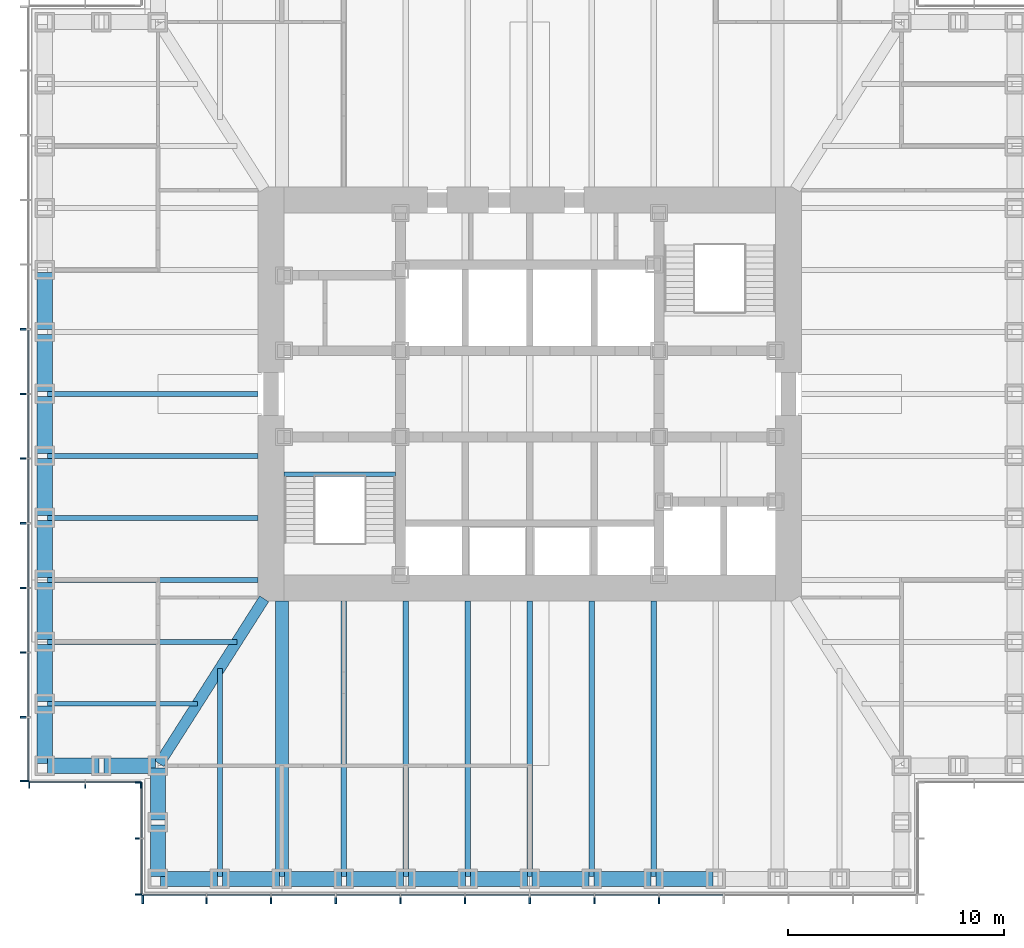
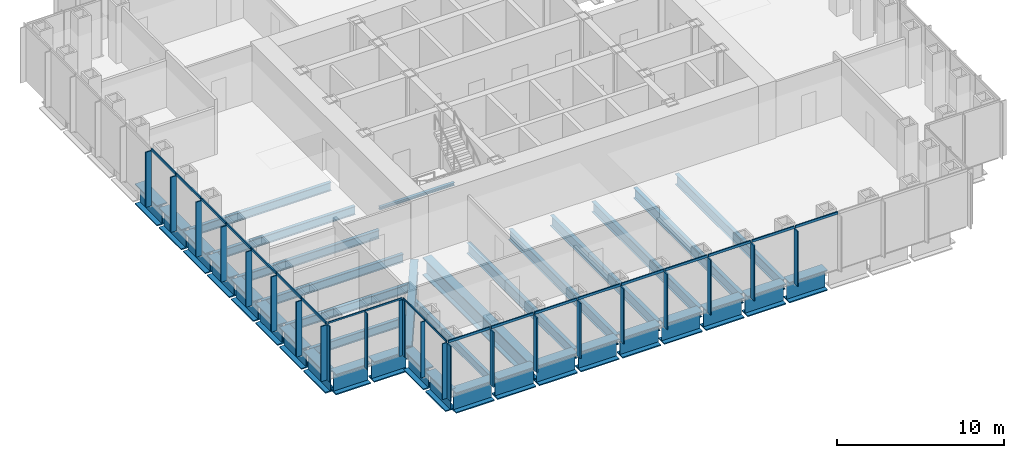
# One storey, part 2 of 16: 43 members, 37 beams, 4 elements without a shape of their own.
"""IFC4 building model written with IfcOpenShell, lengths in metres."""

from ifc_helpers import new_model, si_unit, direction, frame, origin, origin_2d, place, context, subcontext, project, spatial, rectangle, i_section, extrude, material, material_profile, profile_set, type_object, element, aggregate, save


model = new_model("IFC4")

# Units and contexts
model_context = context("Model", 3, precision=1e-05, world=origin(), true_north=direction((0.0, 1.0)))
body_context = subcontext(model_context, "Body", "Model", "MODEL_VIEW")
ifc_project = project(units=[si_unit("LENGTHUNIT", "METRE"), si_unit("AREAUNIT", "SQUARE_METRE"), si_unit("VOLUMEUNIT", "CUBIC_METRE"), si_unit("PLANEANGLEUNIT", "RADIAN"), si_unit("MASSUNIT", "GRAM", prefix="KILO")], contexts=[model_context])

# Site, building, storey
site_placement = place(None, origin())
site = spatial("IfcSite", under=ifc_project, at=site_placement, CompositionType="ELEMENT")
building_placement = place(site_placement, origin())
building = spatial("IfcBuilding", under=site, at=building_placement, Name="Daluyong Arena Tower", CompositionType="ELEMENT")
storey_placement = place(building_placement, frame((0.0, 0.0, 162.699951171875)))
storey = spatial("IfcBuildingStorey", under=building, at=storey_placement, Name="L36", CompositionType="ELEMENT", Elevation=162.699951171875)

# Curtain wall, members
ifc_material_1 = material(Name="Bronze anodised aluminium and glass", Category="aluminium")
curtain_wall_type_1 = type_object("IfcCurtainWallType", Name="Curtain wall CW2", PredefinedType="USERDEFINED", material=ifc_material_1)
curtain_wall_1_placement = place(storey_placement, origin())
curtain_wall_1 = element("IfcCurtainWall", 1, at=curtain_wall_1_placement, inside=storey, type_object=curtain_wall_type_1, Name="curtain wall L36 S", ObjectType="UNITISED CURTAIN WALL", PredefinedType="USERDEFINED")
ifc_material_2 = material(Name="Bronze anodised aluminium fin", Category="aluminium")
ifc_material_profile_1 = material_profile(ifc_material_2, rectangle(XDim=0.39990234375, YDim=0.080078125, at=origin_2d()))
ifc_profile_set_1 = profile_set([ifc_material_profile_1], Name="Bronze anodised aluminium fin")
member_type_1 = type_object("IfcMemberType", Name="CW2 bronze fin 400x80", PredefinedType="MULLION", material=ifc_profile_set_1)
member_1_placement = place(storey_placement, frame((38.0400390625, 56.550048828125, 0.0), z_axis=(0.0, 0.0, 1.0), x_axis=(0.0, 1.0, 0.0)))
member_1 = element("IfcMember", 2, at=member_1_placement, type_object=member_type_1, Name="curtain wall L36 S fin 1", PredefinedType="MULLION", context=body_context, shape_type="SweptSolid", body=[
    extrude(rectangle(XDim=0.39990234375, YDim=0.080078125, at=origin_2d()), origin(), (0.0, 0.0, 1.0), 4.02001953125),
])
member_2_placement = place(storey_placement, frame((41.0, 56.550048828125, 0.0), z_axis=(0.0, 0.0, 1.0), x_axis=(0.0, 1.0, 0.0)))
member_2 = element("IfcMember", 3, at=member_2_placement, type_object=member_type_1, Name="curtain wall L36 S fin 2", PredefinedType="MULLION", context=body_context, shape_type="SweptSolid", body=[
    extrude(rectangle(XDim=0.39990234375, YDim=0.080078125, at=origin_2d()), origin(), (0.0, 0.0, 1.0), 4.02001953125),
])
member_3_placement = place(storey_placement, frame((44.0, 56.550048828125, 0.0), z_axis=(0.0, 0.0, 1.0), x_axis=(0.0, 1.0, 0.0)))
member_3 = element("IfcMember", 4, at=member_3_placement, type_object=member_type_1, Name="curtain wall L36 S fin 3", PredefinedType="MULLION", context=body_context, shape_type="SweptSolid", body=[
    extrude(rectangle(XDim=0.39990234375, YDim=0.080078125, at=origin_2d()), origin(), (0.0, 0.0, 1.0), 4.02001953125),
])
member_4_placement = place(storey_placement, frame((47.0, 56.550048828125, 0.0), z_axis=(0.0, 0.0, 1.0), x_axis=(0.0, 1.0, 0.0)))
member_4 = element("IfcMember", 5, at=member_4_placement, type_object=member_type_1, Name="curtain wall L36 S fin 4", PredefinedType="MULLION", context=body_context, shape_type="SweptSolid", body=[
    extrude(rectangle(XDim=0.39990234375, YDim=0.080078125, at=origin_2d()), origin(), (0.0, 0.0, 1.0), 4.02001953125),
])
member_5_placement = place(storey_placement, frame((50.0, 56.550048828125, 0.0), z_axis=(0.0, 0.0, 1.0), x_axis=(0.0, 1.0, 0.0)))
member_5 = element("IfcMember", 6, at=member_5_placement, type_object=member_type_1, Name="curtain wall L36 S fin 5", PredefinedType="MULLION", context=body_context, shape_type="SweptSolid", body=[
    extrude(rectangle(XDim=0.39990234375, YDim=0.080078125, at=origin_2d()), origin(), (0.0, 0.0, 1.0), 4.02001953125),
])
member_6_placement = place(storey_placement, frame((53.0, 56.550048828125, 0.0), z_axis=(0.0, 0.0, 1.0), x_axis=(0.0, 1.0, 0.0)))
member_6 = element("IfcMember", 7, at=member_6_placement, type_object=member_type_1, Name="curtain wall L36 S fin 6", PredefinedType="MULLION", context=body_context, shape_type="SweptSolid", body=[
    extrude(rectangle(XDim=0.39990234375, YDim=0.080078125, at=origin_2d()), origin(), (0.0, 0.0, 1.0), 4.02001953125),
])
member_7_placement = place(storey_placement, frame((56.0, 56.550048828125, 0.0), z_axis=(0.0, 0.0, 1.0), x_axis=(0.0, 1.0, 0.0)))
member_7 = element("IfcMember", 8, at=member_7_placement, type_object=member_type_1, Name="curtain wall L36 S fin 7", PredefinedType="MULLION", context=body_context, shape_type="SweptSolid", body=[
    extrude(rectangle(XDim=0.39990234375, YDim=0.080078125, at=origin_2d()), origin(), (0.0, 0.0, 1.0), 4.02001953125),
])
member_8_placement = place(storey_placement, frame((59.0, 56.550048828125, 0.0), z_axis=(0.0, 0.0, 1.0), x_axis=(0.0, 1.0, 0.0)))
member_8 = element("IfcMember", 9, at=member_8_placement, type_object=member_type_1, Name="curtain wall L36 S fin 8", PredefinedType="MULLION", context=body_context, shape_type="SweptSolid", body=[
    extrude(rectangle(XDim=0.39990234375, YDim=0.080078125, at=origin_2d()), origin(), (0.0, 0.0, 1.0), 4.02001953125),
])
member_9_placement = place(storey_placement, frame((62.0, 56.550048828125, 0.0), z_axis=(0.0, 0.0, 1.0), x_axis=(0.0, 1.0, 0.0)))
member_9 = element("IfcMember", 10, at=member_9_placement, type_object=member_type_1, Name="curtain wall L36 S fin 9", PredefinedType="MULLION", context=body_context, shape_type="SweptSolid", body=[
    extrude(rectangle(XDim=0.39990234375, YDim=0.080078125, at=origin_2d()), origin(), (0.0, 0.0, 1.0), 4.02001953125),
])

curtain_wall_2_placement = place(storey_placement, origin())
curtain_wall_2 = element("IfcCurtainWall", 11, at=curtain_wall_2_placement, inside=storey, type_object=curtain_wall_type_1, Name="curtain wall L36 W", ObjectType="UNITISED CURTAIN WALL", PredefinedType="USERDEFINED")
member_10_placement = place(storey_placement, frame((32.550048828125, 83.0, 0.0), z_axis=(0.0, 0.0, 1.0), x_axis=(1.0, 0.0, 0.0)))
member_10 = element("IfcMember", 12, at=member_10_placement, type_object=member_type_1, Name="curtain wall L36 W fin 6", PredefinedType="MULLION", context=body_context, shape_type="SweptSolid", body=[
    extrude(rectangle(XDim=0.39990234375, YDim=0.080078125, at=origin_2d()), origin(), (0.0, 0.0, 1.0), 4.02001953125),
])
member_11_placement = place(storey_placement, frame((32.550048828125, 80.0, 0.0), z_axis=(0.0, 0.0, 1.0), x_axis=(1.0, 0.0, 0.0)))
member_11 = element("IfcMember", 13, at=member_11_placement, type_object=member_type_1, Name="curtain wall L36 W fin 7", PredefinedType="MULLION", context=body_context, shape_type="SweptSolid", body=[
    extrude(rectangle(XDim=0.39990234375, YDim=0.080078125, at=origin_2d()), origin(), (0.0, 0.0, 1.0), 4.02001953125),
])
member_12_placement = place(storey_placement, frame((32.550048828125, 77.0, 0.0), z_axis=(0.0, 0.0, 1.0), x_axis=(1.0, 0.0, 0.0)))
member_12 = element("IfcMember", 14, at=member_12_placement, type_object=member_type_1, Name="curtain wall L36 W fin 8", PredefinedType="MULLION", context=body_context, shape_type="SweptSolid", body=[
    extrude(rectangle(XDim=0.39990234375, YDim=0.080078125, at=origin_2d()), origin(), (0.0, 0.0, 1.0), 4.02001953125),
])
member_13_placement = place(storey_placement, frame((32.550048828125, 74.0, 0.0), z_axis=(0.0, 0.0, 1.0), x_axis=(1.0, 0.0, 0.0)))
member_13 = element("IfcMember", 15, at=member_13_placement, type_object=member_type_1, Name="curtain wall L36 W fin 9", PredefinedType="MULLION", context=body_context, shape_type="SweptSolid", body=[
    extrude(rectangle(XDim=0.39990234375, YDim=0.080078125, at=origin_2d()), origin(), (0.0, 0.0, 1.0), 4.02001953125),
])
member_14_placement = place(storey_placement, frame((32.550048828125, 71.0, 0.0), z_axis=(0.0, 0.0, 1.0), x_axis=(1.0, 0.0, 0.0)))
member_14 = element("IfcMember", 16, at=member_14_placement, type_object=member_type_1, Name="curtain wall L36 W fin 10", PredefinedType="MULLION", context=body_context, shape_type="SweptSolid", body=[
    extrude(rectangle(XDim=0.39990234375, YDim=0.080078125, at=origin_2d()), origin(), (0.0, 0.0, 1.0), 4.02001953125),
])
member_15_placement = place(storey_placement, frame((32.550048828125, 68.0, 0.0), z_axis=(0.0, 0.0, 1.0), x_axis=(1.0, 0.0, 0.0)))
member_15 = element("IfcMember", 17, at=member_15_placement, type_object=member_type_1, Name="curtain wall L36 W fin 11", PredefinedType="MULLION", context=body_context, shape_type="SweptSolid", body=[
    extrude(rectangle(XDim=0.39990234375, YDim=0.080078125, at=origin_2d()), origin(), (0.0, 0.0, 1.0), 4.02001953125),
])
member_16_placement = place(storey_placement, frame((32.550048828125, 65.0, 0.0), z_axis=(0.0, 0.0, 1.0), x_axis=(1.0, 0.0, 0.0)))
member_16 = element("IfcMember", 18, at=member_16_placement, type_object=member_type_1, Name="curtain wall L36 W fin 12", PredefinedType="MULLION", context=body_context, shape_type="SweptSolid", body=[
    extrude(rectangle(XDim=0.39990234375, YDim=0.080078125, at=origin_2d()), origin(), (0.0, 0.0, 1.0), 4.02001953125),
])
member_17_placement = place(storey_placement, frame((32.550048828125, 62.0400390625, 0.0), z_axis=(0.0, 0.0, 1.0), x_axis=(1.0, 0.0, 0.0)))
member_17 = element("IfcMember", 19, at=member_17_placement, type_object=member_type_1, Name="curtain wall L36 W fin 13", PredefinedType="MULLION", context=body_context, shape_type="SweptSolid", body=[
    extrude(rectangle(XDim=0.39990234375, YDim=0.080078125, at=origin_2d()), origin(), (0.0, 0.0, 1.0), 4.02001953125),
])

# Member
ifc_material_3 = material(Name="Bronze anodised aluminium", Category="aluminium")
ifc_material_profile_2 = material_profile(ifc_material_3, rectangle(XDim=0.080078125, YDim=0.179931640625, at=origin_2d()))
ifc_profile_set_2 = profile_set([ifc_material_profile_2], Name="Bronze anodised aluminium")
member_type_2 = type_object("IfcMemberType", Name="CW2 stack transom 180x80", PredefinedType="USERDEFINED", material=ifc_profile_set_2)
member_18_placement = place(storey_placement, frame((38.080078125, 56.75, 4.110107421875), z_axis=(1.0, 0.0, 0.0), x_axis=(0.0, 1.0, 0.0)))
member_18 = element("IfcMember", 20, at=member_18_placement, type_object=member_type_2, Name="curtain wall L36 S transom 1", ObjectType="TRANSOM", PredefinedType="USERDEFINED", context=body_context, shape_type="SweptSolid", body=[
    extrude(rectangle(XDim=0.080078125, YDim=0.179931640625, at=origin_2d()), origin(), (0.0, 0.0, 1.0), 2.8798828125),
])

member_19_placement = place(storey_placement, frame((41.0400390625, 56.75, 4.110107421875), z_axis=(1.0, 0.0, 0.0), x_axis=(0.0, 1.0, 0.0)))
member_19 = element("IfcMember", 21, at=member_19_placement, type_object=member_type_2, Name="curtain wall L36 S transom 2", ObjectType="TRANSOM", PredefinedType="USERDEFINED", context=body_context, shape_type="SweptSolid", body=[
    extrude(rectangle(XDim=0.080078125, YDim=0.179931640625, at=origin_2d()), origin(), (0.0, 0.0, 1.0), 2.919921875),
])

member_20_placement = place(storey_placement, frame((44.0400390625, 56.75, 4.110107421875), z_axis=(1.0, 0.0, 0.0), x_axis=(0.0, 1.0, 0.0)))
member_20 = element("IfcMember", 22, at=member_20_placement, type_object=member_type_2, Name="curtain wall L36 S transom 3", ObjectType="TRANSOM", PredefinedType="USERDEFINED", context=body_context, shape_type="SweptSolid", body=[
    extrude(rectangle(XDim=0.080078125, YDim=0.179931640625, at=origin_2d()), origin(), (0.0, 0.0, 1.0), 2.919921875),
])

member_21_placement = place(storey_placement, frame((47.0400390625, 56.75, 4.110107421875), z_axis=(1.0, 0.0, 0.0), x_axis=(0.0, 1.0, 0.0)))
member_21 = element("IfcMember", 23, at=member_21_placement, type_object=member_type_2, Name="curtain wall L36 S transom 4", ObjectType="TRANSOM", PredefinedType="USERDEFINED", context=body_context, shape_type="SweptSolid", body=[
    extrude(rectangle(XDim=0.080078125, YDim=0.179931640625, at=origin_2d()), origin(), (0.0, 0.0, 1.0), 2.919921875),
])

member_22_placement = place(storey_placement, frame((50.0400390625, 56.75, 4.110107421875), z_axis=(1.0, 0.0, 0.0), x_axis=(0.0, 1.0, 0.0)))
member_22 = element("IfcMember", 24, at=member_22_placement, type_object=member_type_2, Name="curtain wall L36 S transom 5", ObjectType="TRANSOM", PredefinedType="USERDEFINED", context=body_context, shape_type="SweptSolid", body=[
    extrude(rectangle(XDim=0.080078125, YDim=0.179931640625, at=origin_2d()), origin(), (0.0, 0.0, 1.0), 2.919921875),
])

member_23_placement = place(storey_placement, frame((53.0400390625, 56.75, 4.110107421875), z_axis=(1.0, 0.0, 0.0), x_axis=(0.0, 1.0, 0.0)))
member_23 = element("IfcMember", 25, at=member_23_placement, type_object=member_type_2, Name="curtain wall L36 S transom 6", ObjectType="TRANSOM", PredefinedType="USERDEFINED", context=body_context, shape_type="SweptSolid", body=[
    extrude(rectangle(XDim=0.080078125, YDim=0.179931640625, at=origin_2d()), origin(), (0.0, 0.0, 1.0), 2.919921875),
])

member_24_placement = place(storey_placement, frame((56.0400390625, 56.75, 4.110107421875), z_axis=(1.0, 0.0, 0.0), x_axis=(0.0, 1.0, 0.0)))
member_24 = element("IfcMember", 26, at=member_24_placement, type_object=member_type_2, Name="curtain wall L36 S transom 7", ObjectType="TRANSOM", PredefinedType="USERDEFINED", context=body_context, shape_type="SweptSolid", body=[
    extrude(rectangle(XDim=0.080078125, YDim=0.179931640625, at=origin_2d()), origin(), (0.0, 0.0, 1.0), 2.919921875),
])

member_25_placement = place(storey_placement, frame((59.0400390625, 56.75, 4.110107421875), z_axis=(1.0, 0.0, 0.0), x_axis=(0.0, 1.0, 0.0)))
member_25 = element("IfcMember", 27, at=member_25_placement, type_object=member_type_2, Name="curtain wall L36 S transom 8", ObjectType="TRANSOM", PredefinedType="USERDEFINED", context=body_context, shape_type="SweptSolid", body=[
    extrude(rectangle(XDim=0.080078125, YDim=0.179931640625, at=origin_2d()), origin(), (0.0, 0.0, 1.0), 2.919921875),
])

member_26_placement = place(storey_placement, frame((62.0400390625, 56.75, 4.110107421875), z_axis=(1.0, 0.0, 0.0), x_axis=(0.0, 1.0, 0.0)))
member_26 = element("IfcMember", 28, at=member_26_placement, type_object=member_type_2, Name="curtain wall L36 S transom 9", ObjectType="TRANSOM", PredefinedType="USERDEFINED", context=body_context, shape_type="SweptSolid", body=[
    extrude(rectangle(XDim=0.080078125, YDim=0.179931640625, at=origin_2d()), origin(), (0.0, 0.0, 1.0), 2.919921875),
])

aggregate(curtain_wall_1, [member_1, member_2, member_3, member_4, member_5, member_6, member_7, member_8, member_9, member_18, member_19, member_20, member_21, member_22, member_23, member_24, member_25, member_26])

member_27_placement = place(storey_placement, frame((32.75, 82.9599609375, 4.110107421875), z_axis=(0.0, -1.0, 0.0), x_axis=(1.0, 0.0, 0.0)))
member_27 = element("IfcMember", 29, at=member_27_placement, type_object=member_type_2, Name="curtain wall L36 W transom 6", ObjectType="TRANSOM", PredefinedType="USERDEFINED", context=body_context, shape_type="SweptSolid", body=[
    extrude(rectangle(XDim=0.080078125, YDim=0.179931640625, at=origin_2d()), origin(), (0.0, 0.0, 1.0), 2.919921875),
])

member_28_placement = place(storey_placement, frame((32.75, 79.9599609375, 4.110107421875), z_axis=(0.0, -1.0, 0.0), x_axis=(1.0, 0.0, 0.0)))
member_28 = element("IfcMember", 30, at=member_28_placement, type_object=member_type_2, Name="curtain wall L36 W transom 7", ObjectType="TRANSOM", PredefinedType="USERDEFINED", context=body_context, shape_type="SweptSolid", body=[
    extrude(rectangle(XDim=0.080078125, YDim=0.179931640625, at=origin_2d()), origin(), (0.0, 0.0, 1.0), 2.919921875),
])

member_29_placement = place(storey_placement, frame((32.75, 76.9599609375, 4.110107421875), z_axis=(0.0, -1.0, 0.0), x_axis=(1.0, 0.0, 0.0)))
member_29 = element("IfcMember", 31, at=member_29_placement, type_object=member_type_2, Name="curtain wall L36 W transom 8", ObjectType="TRANSOM", PredefinedType="USERDEFINED", context=body_context, shape_type="SweptSolid", body=[
    extrude(rectangle(XDim=0.080078125, YDim=0.179931640625, at=origin_2d()), origin(), (0.0, 0.0, 1.0), 2.919921875),
])

member_30_placement = place(storey_placement, frame((32.75, 73.9599609375, 4.110107421875), z_axis=(0.0, -1.0, 0.0), x_axis=(1.0, 0.0, 0.0)))
member_30 = element("IfcMember", 32, at=member_30_placement, type_object=member_type_2, Name="curtain wall L36 W transom 9", ObjectType="TRANSOM", PredefinedType="USERDEFINED", context=body_context, shape_type="SweptSolid", body=[
    extrude(rectangle(XDim=0.080078125, YDim=0.179931640625, at=origin_2d()), origin(), (0.0, 0.0, 1.0), 2.919921875),
])

member_31_placement = place(storey_placement, frame((32.75, 70.9599609375, 4.110107421875), z_axis=(0.0, -1.0, 0.0), x_axis=(1.0, 0.0, 0.0)))
member_31 = element("IfcMember", 33, at=member_31_placement, type_object=member_type_2, Name="curtain wall L36 W transom 10", ObjectType="TRANSOM", PredefinedType="USERDEFINED", context=body_context, shape_type="SweptSolid", body=[
    extrude(rectangle(XDim=0.080078125, YDim=0.179931640625, at=origin_2d()), origin(), (0.0, 0.0, 1.0), 2.919921875),
])

member_32_placement = place(storey_placement, frame((32.75, 67.9599609375, 4.110107421875), z_axis=(0.0, -1.0, 0.0), x_axis=(1.0, 0.0, 0.0)))
member_32 = element("IfcMember", 34, at=member_32_placement, type_object=member_type_2, Name="curtain wall L36 W transom 11", ObjectType="TRANSOM", PredefinedType="USERDEFINED", context=body_context, shape_type="SweptSolid", body=[
    extrude(rectangle(XDim=0.080078125, YDim=0.179931640625, at=origin_2d()), origin(), (0.0, 0.0, 1.0), 2.919921875),
])

member_33_placement = place(storey_placement, frame((32.75, 64.9599609375, 4.110107421875), z_axis=(0.0, -1.0, 0.0), x_axis=(1.0, 0.0, 0.0)))
member_33 = element("IfcMember", 35, at=member_33_placement, type_object=member_type_2, Name="curtain wall L36 W transom 12", ObjectType="TRANSOM", PredefinedType="USERDEFINED", context=body_context, shape_type="SweptSolid", body=[
    extrude(rectangle(XDim=0.080078125, YDim=0.179931640625, at=origin_2d()), origin(), (0.0, 0.0, 1.0), 2.8798828125),
])

aggregate(curtain_wall_2, [member_10, member_11, member_12, member_13, member_14, member_15, member_16, member_17, member_27, member_28, member_29, member_30, member_31, member_32, member_33])

# Curtain wall, members
ifc_material_4 = material(Name="Bronze anodised aluminium and glass", Category="aluminium")
curtain_wall_type_2 = type_object("IfcCurtainWallType", Name="Curtain wall CW7", PredefinedType="USERDEFINED", material=ifc_material_4)
curtain_wall_3_placement = place(storey_placement, origin())
curtain_wall_3 = element("IfcCurtainWall", 36, at=curtain_wall_3_placement, inside=storey, type_object=curtain_wall_type_2, Name="curtain wall L36 SW-S", ObjectType="UNITISED CURTAIN WALL", PredefinedType="USERDEFINED")
ifc_material_5 = material(Name="Bronze anodised aluminium fin", Category="aluminium")
ifc_material_profile_3 = material_profile(ifc_material_5, rectangle(XDim=0.300048828125, YDim=0.06005859375, at=origin_2d()))
ifc_profile_set_3 = profile_set([ifc_material_profile_3], Name="Bronze anodised aluminium fin")
member_type_3 = type_object("IfcMemberType", Name="CW7 bronze fin 300x60", PredefinedType="MULLION", material=ifc_profile_set_3)
member_34_placement = place(storey_placement, frame((32.780029296875, 61.85009765625, 0.0), z_axis=(0.0, 0.0, 1.0), x_axis=(0.0, 1.0, 0.0)))
member_34 = element("IfcMember", 37, at=member_34_placement, type_object=member_type_3, Name="curtain wall L36 SW-S fin 1", PredefinedType="MULLION", context=body_context, shape_type="SweptSolid", body=[
    extrude(rectangle(XDim=0.300048828125, YDim=0.06005859375, at=origin_2d()), origin(), (0.0, 0.0, 1.0), 4.080078125),
])
member_35_placement = place(storey_placement, frame((35.375, 61.85009765625, 0.0), z_axis=(0.0, 0.0, 1.0), x_axis=(0.0, 1.0, 0.0)))
member_35 = element("IfcMember", 38, at=member_35_placement, type_object=member_type_3, Name="curtain wall L36 SW-S fin 2", PredefinedType="MULLION", context=body_context, shape_type="SweptSolid", body=[
    extrude(rectangle(XDim=0.300048828125, YDim=0.06005859375, at=origin_2d()), origin(), (0.0, 0.0, 1.0), 4.080078125),
])
member_36_placement = place(storey_placement, frame((37.969970703125, 61.85009765625, 0.0), z_axis=(0.0, 0.0, 1.0), x_axis=(0.0, 1.0, 0.0)))
member_36 = element("IfcMember", 39, at=member_36_placement, type_object=member_type_3, Name="curtain wall L36 SW-S fin 3", PredefinedType="MULLION", context=body_context, shape_type="SweptSolid", body=[
    extrude(rectangle(XDim=0.300048828125, YDim=0.06005859375, at=origin_2d()), origin(), (0.0, 0.0, 1.0), 4.080078125),
])

curtain_wall_4_placement = place(storey_placement, origin())
curtain_wall_4 = element("IfcCurtainWall", 40, at=curtain_wall_4_placement, inside=storey, type_object=curtain_wall_type_2, Name="curtain wall L36 SW-W", ObjectType="UNITISED CURTAIN WALL", PredefinedType="USERDEFINED")
member_37_placement = place(storey_placement, frame((37.85009765625, 61.969970703125, 0.0), z_axis=(0.0, 0.0, 1.0), x_axis=(1.0, 0.0, 0.0)))
member_37 = element("IfcMember", 41, at=member_37_placement, type_object=member_type_3, Name="curtain wall L36 SW-W fin 1", PredefinedType="MULLION", context=body_context, shape_type="SweptSolid", body=[
    extrude(rectangle(XDim=0.300048828125, YDim=0.06005859375, at=origin_2d()), origin(), (0.0, 0.0, 1.0), 4.080078125),
])
member_38_placement = place(storey_placement, frame((37.85009765625, 59.375, 0.0), z_axis=(0.0, 0.0, 1.0), x_axis=(1.0, 0.0, 0.0)))
member_38 = element("IfcMember", 42, at=member_38_placement, type_object=member_type_3, Name="curtain wall L36 SW-W fin 2", PredefinedType="MULLION", context=body_context, shape_type="SweptSolid", body=[
    extrude(rectangle(XDim=0.300048828125, YDim=0.06005859375, at=origin_2d()), origin(), (0.0, 0.0, 1.0), 4.080078125),
])
member_39_placement = place(storey_placement, frame((37.85009765625, 56.780029296875, 0.0), z_axis=(0.0, 0.0, 1.0), x_axis=(1.0, 0.0, 0.0)))
member_39 = element("IfcMember", 43, at=member_39_placement, type_object=member_type_3, Name="curtain wall L36 SW-W fin 3", PredefinedType="MULLION", context=body_context, shape_type="SweptSolid", body=[
    extrude(rectangle(XDim=0.300048828125, YDim=0.06005859375, at=origin_2d()), origin(), (0.0, 0.0, 1.0), 4.080078125),
])

# Member
ifc_material_6 = material(Name="Bronze anodised aluminium", Category="aluminium")
ifc_material_profile_4 = material_profile(ifc_material_6, rectangle(XDim=0.06005859375, YDim=0.1201171875, at=origin_2d()))
ifc_profile_set_4 = profile_set([ifc_material_profile_4], Name="Bronze anodised aluminium")
member_type_4 = type_object("IfcMemberType", Name="CW7 stack transom 120x60", PredefinedType="USERDEFINED", material=ifc_profile_set_4)
member_40_placement = place(storey_placement, frame((32.81005859375, 62.0, 4.14013671875), z_axis=(1.0, 0.0, 0.0), x_axis=(0.0, 1.0, 0.0)))
member_40 = element("IfcMember", 44, at=member_40_placement, type_object=member_type_4, Name="curtain wall L36 SW-S transom 1", ObjectType="TRANSOM", PredefinedType="USERDEFINED", context=body_context, shape_type="SweptSolid", body=[
    extrude(rectangle(XDim=0.06005859375, YDim=0.1201171875, at=origin_2d()), origin(), (0.0, 0.0, 1.0), 2.534912109375),
])

member_41_placement = place(storey_placement, frame((35.405029296875, 62.0, 4.14013671875), z_axis=(1.0, 0.0, 0.0), x_axis=(0.0, 1.0, 0.0)))
member_41 = element("IfcMember", 45, at=member_41_placement, type_object=member_type_4, Name="curtain wall L36 SW-S transom 2", ObjectType="TRANSOM", PredefinedType="USERDEFINED", context=body_context, shape_type="SweptSolid", body=[
    extrude(rectangle(XDim=0.06005859375, YDim=0.1201171875, at=origin_2d()), origin(), (0.0, 0.0, 1.0), 2.534912109375),
])

aggregate(curtain_wall_3, [member_34, member_35, member_36, member_40, member_41])

member_42_placement = place(storey_placement, frame((38.0, 61.93994140625, 4.14013671875), z_axis=(0.0, -1.0, 0.0), x_axis=(1.0, 0.0, 0.0)))
member_42 = element("IfcMember", 46, at=member_42_placement, type_object=member_type_4, Name="curtain wall L36 SW-W transom 1", ObjectType="TRANSOM", PredefinedType="USERDEFINED", context=body_context, shape_type="SweptSolid", body=[
    extrude(rectangle(XDim=0.06005859375, YDim=0.1201171875, at=origin_2d()), origin(), (0.0, 0.0, 1.0), 2.534912109375),
])

member_43_placement = place(storey_placement, frame((38.0, 59.344970703125, 4.14013671875), z_axis=(0.0, -1.0, 0.0), x_axis=(1.0, 0.0, 0.0)))
member_43 = element("IfcMember", 47, at=member_43_placement, type_object=member_type_4, Name="curtain wall L36 SW-W transom 2", ObjectType="TRANSOM", PredefinedType="USERDEFINED", context=body_context, shape_type="SweptSolid", body=[
    extrude(rectangle(XDim=0.06005859375, YDim=0.1201171875, at=origin_2d()), origin(), (0.0, 0.0, 1.0), 2.534912109375),
])

aggregate(curtain_wall_4, [member_37, member_38, member_39, member_42, member_43])

# Beams
ifc_material_7 = material(Name="Steel ASTM A572 Grade 50", Category="steel")
ifc_material_profile_5 = material_profile(ifc_material_7, i_section(OverallWidth=0.5, OverallDepth=1.0, WebThickness=0.03, FlangeThickness=0.06, at=origin_2d()))
ifc_profile_set_5 = profile_set([ifc_material_profile_5], Name="Steel ASTM A572 Grade 50")
beam_type_1 = type_object("IfcBeamType", Name="Corner girder TB1000X500", PredefinedType="BEAM", material=ifc_profile_set_5)
beam_1_placement = place(storey_placement, frame((38.811767578125, 62.846923828125, -0.659912109375), z_axis=(0.536872006459, 0.843663705916, 0.0), x_axis=(-0.843663705916, 0.536872006459, 0.0)))
element("IfcBeam", 48, at=beam_1_placement, inside=storey, type_object=beam_type_1, Name="corner girder DG2", PredefinedType="BEAM", context=body_context, shape_type="SweptSolid", body=[
    extrude(i_section(OverallWidth=0.5, OverallDepth=1.0, WebThickness=0.03, FlangeThickness=0.06, at=origin_2d()), origin(), (0.0, 0.0, 1.0), 9.06396484375),
])
ifc_material_8 = material(Name="Steel ASTM A572 Grade 50", Category="steel")
ifc_material_profile_6 = material_profile(ifc_material_8, i_section(OverallWidth=0.60009765625, OverallDepth=1.300048828125, WebThickness=0.035, FlangeThickness=0.07, at=origin_2d()))
ifc_profile_set_6 = profile_set([ifc_material_profile_6], Name="Steel ASTM A572 Grade 50")
beam_type_2 = type_object("IfcBeamType", Name="Floor beam TB1300X600", PredefinedType="BEAM", material=ifc_profile_set_6)
beam_2_placement = place(storey_placement, frame((44.5, 57.614990234375, -0.81005859375), z_axis=(0.0, 1.0, 0.0), x_axis=(-1.0, 0.0, 0.0)))
element("IfcBeam", 49, at=beam_2_placement, inside=storey, type_object=beam_type_2, Name="floor beam FB7", PredefinedType="BEAM", context=body_context, shape_type="SweptSolid", body=[
    extrude(i_section(OverallWidth=0.60009765625, OverallDepth=1.300048828125, WebThickness=0.035, FlangeThickness=0.07, at=origin_2d()), origin(), (0.0, 0.0, 1.0), 12.784912109375),
])
ifc_material_9 = material(Name="Steel ASTM A992 Grade 50", Category="steel")
ifc_material_profile_7 = material_profile(ifc_material_9, i_section(OverallWidth=0.22900390625, OverallDepth=0.612060546875, WebThickness=0.011962890625, FlangeThickness=0.01953125, at=origin_2d()))
ifc_profile_set_7 = profile_set([ifc_material_profile_7], Name="Steel ASTM A992 Grade 50")
beam_type_3 = type_object("IfcBeamType", Name="Floor beam W24X84", PredefinedType="BEAM", material=ifc_profile_set_7)
beam_3_placement = place(storey_placement, frame((41.625, 57.614990234375, -0.466064453125), z_axis=(0.0, 1.0, 0.0), x_axis=(-1.0, 0.0, 0.0)))
element("IfcBeam", 50, at=beam_3_placement, inside=storey, type_object=beam_type_3, Name="floor beam FB3", PredefinedType="BEAM", context=body_context, shape_type="SweptSolid", body=[
    extrude(i_section(OverallWidth=0.22900390625, OverallDepth=0.612060546875, WebThickness=0.011962890625, FlangeThickness=0.01953125, at=origin_2d()), origin(), (0.0, 0.0, 1.0), 9.65283203125),
])
for number, where, z_axis, x_axis, name in (
    (51, (33.614990234375, 80.0, -0.466064453125), (1.0, 0.0, 0.0), (0.0, 1.0, 0.0), "floor beam FB3"),
    (52, (33.614990234375, 77.125, -0.466064453125), (1.0, 0.0, 0.0), (0.0, 1.0, 0.0), "floor beam FB3"),
    (53, (33.614990234375, 74.25, -0.466064453125), (1.0, 0.0, 0.0), (0.0, 1.0, 0.0), "floor beam FB3"),
    (54, (33.614990234375, 71.375, -0.466064453125), (1.0, 0.0, 0.0), (0.0, 1.0, 0.0), "floor beam FB3"),
):
    element("IfcBeam", number, at=place(storey_placement, frame(where, z_axis=z_axis, x_axis=x_axis)), inside=storey, type_object=beam_type_3, Name=name, PredefinedType="BEAM", context=body_context, shape_type="SweptSolid", body=[
        extrude(i_section(OverallWidth=0.22900390625, OverallDepth=0.612060546875, WebThickness=0.011962890625, FlangeThickness=0.01953125, at=origin_2d()), origin(), (0.0, 0.0, 1.0), 9.784912109375),
    ])
beam_4_placement = place(storey_placement, frame((33.614990234375, 68.5, -0.466064453125), z_axis=(1.0, 0.0, 0.0), x_axis=(0.0, 1.0, 0.0)))
element("IfcBeam", 55, at=beam_4_placement, inside=storey, type_object=beam_type_3, Name="floor beam FB3", PredefinedType="BEAM", context=body_context, shape_type="SweptSolid", body=[
    extrude(i_section(OverallWidth=0.22900390625, OverallDepth=0.612060546875, WebThickness=0.011962890625, FlangeThickness=0.01953125, at=origin_2d()), origin(), (0.0, 0.0, 1.0), 8.794189453125),
])
beam_5_placement = place(storey_placement, frame((33.614990234375, 65.625, -0.466064453125), z_axis=(1.0, 0.0, 0.0), x_axis=(0.0, 1.0, 0.0)))
element("IfcBeam", 56, at=beam_5_placement, inside=storey, type_object=beam_type_3, Name="floor beam FB3", PredefinedType="BEAM", context=body_context, shape_type="SweptSolid", body=[
    extrude(i_section(OverallWidth=0.22900390625, OverallDepth=0.612060546875, WebThickness=0.011962890625, FlangeThickness=0.01953125, at=origin_2d()), origin(), (0.0, 0.0, 1.0), 6.964599609375),
])
ifc_material_10 = material(Name="Steel ASTM A992 Grade 50", Category="steel")
ifc_material_profile_8 = material_profile(ifc_material_10, i_section(OverallWidth=0.2666015625, OverallDepth=0.761962890625, WebThickness=0.014404296875, FlangeThickness=0.021484375, at=origin_2d()))
ifc_profile_set_8 = profile_set([ifc_material_profile_8], Name="Steel ASTM A992 Grade 50")
beam_type_4 = type_object("IfcBeamType", Name="Floor beam W30X116", PredefinedType="BEAM", material=ifc_profile_set_8)
for number, where, z_axis, x_axis, name in (
    (57, (47.375, 57.614990234375, -0.541015625), (0.0, 1.0, 0.0), (-1.0, 0.0, 0.0), "floor beam FB4"),
    (58, (50.25, 57.614990234375, -0.541015625), (0.0, 1.0, 0.0), (-1.0, 0.0, 0.0), "floor beam FB4"),
    (59, (53.125, 57.614990234375, -0.541015625), (0.0, 1.0, 0.0), (-1.0, 0.0, 0.0), "floor beam FB4"),
    (60, (56.0, 57.614990234375, -0.541015625), (0.0, 1.0, 0.0), (-1.0, 0.0, 0.0), "floor beam FB4"),
    (61, (58.875, 57.614990234375, -0.541015625), (0.0, 1.0, 0.0), (-1.0, 0.0, 0.0), "floor beam FB4"),
    (62, (61.75, 57.614990234375, -0.541015625), (0.0, 1.0, 0.0), (-1.0, 0.0, 0.0), "floor beam FB4"),
):
    element("IfcBeam", number, at=place(storey_placement, frame(where, z_axis=z_axis, x_axis=x_axis)), inside=storey, type_object=beam_type_4, Name=name, PredefinedType="BEAM", context=body_context, shape_type="SweptSolid", body=[
        extrude(i_section(OverallWidth=0.2666015625, OverallDepth=0.761962890625, WebThickness=0.014404296875, FlangeThickness=0.021484375, at=origin_2d()), origin(), (0.0, 0.0, 1.0), 12.784912109375),
    ])
ifc_material_11 = material(Name="Steel ASTM A572 Grade 50", Category="steel")
ifc_material_profile_9 = material_profile(ifc_material_11, i_section(OverallWidth=0.699951171875, OverallDepth=1.5, WebThickness=0.04, FlangeThickness=0.08, at=origin_2d()))
ifc_profile_set_9 = profile_set([ifc_material_profile_9], Name="Steel ASTM A572 Grade 50")
beam_type_5 = type_object("IfcBeamType", Name="Spandrel Z2 PG1500X700", PredefinedType="SPANDREL", material=ifc_profile_set_9)
for number, where, z_axis, x_axis, name in (
    (63, (38.864990234375, 57.5, -0.909912109375), (1.0, 0.0, 0.0), (0.0, 1.0, 0.0), "spandrel z2 SB6"),
    (64, (41.739990234375, 57.5, -0.909912109375), (1.0, 0.0, 0.0), (0.0, 1.0, 0.0), "spandrel z2 SB6"),
    (65, (44.614990234375, 57.5, -0.909912109375), (1.0, 0.0, 0.0), (0.0, 1.0, 0.0), "spandrel z2 SB6"),
    (66, (47.489990234375, 57.5, -0.909912109375), (1.0, 0.0, 0.0), (0.0, 1.0, 0.0), "spandrel z2 SB6"),
    (67, (50.364990234375, 57.5, -0.909912109375), (1.0, 0.0, 0.0), (0.0, 1.0, 0.0), "spandrel z2 SB6"),
    (68, (53.239990234375, 57.5, -0.909912109375), (1.0, 0.0, 0.0), (0.0, 1.0, 0.0), "spandrel z2 SB6"),
    (69, (56.114990234375, 57.5, -0.909912109375), (1.0, 0.0, 0.0), (0.0, 1.0, 0.0), "spandrel z2 SB6"),
    (70, (58.989990234375, 57.5, -0.909912109375), (1.0, 0.0, 0.0), (0.0, 1.0, 0.0), "spandrel z2 SB6"),
    (71, (61.864990234375, 57.5, -0.909912109375), (1.0, 0.0, 0.0), (0.0, 1.0, 0.0), "spandrel z2 SB6"),
    (72, (33.5, 85.635009765625, -0.909912109375), (0.0, -1.0, 0.0), (1.0, 0.0, 0.0), "spandrel z2 SB6"),
    (73, (33.5, 82.760009765625, -0.909912109375), (0.0, -1.0, 0.0), (1.0, 0.0, 0.0), "spandrel z2 SB6"),
    (74, (33.5, 79.885009765625, -0.909912109375), (0.0, -1.0, 0.0), (1.0, 0.0, 0.0), "spandrel z2 SB6"),
    (75, (33.5, 77.010009765625, -0.909912109375), (0.0, -1.0, 0.0), (1.0, 0.0, 0.0), "spandrel z2 SB6"),
    (76, (33.5, 74.135009765625, -0.909912109375), (0.0, -1.0, 0.0), (1.0, 0.0, 0.0), "spandrel z2 SB6"),
    (77, (33.5, 71.260009765625, -0.909912109375), (0.0, -1.0, 0.0), (1.0, 0.0, 0.0), "spandrel z2 SB6"),
    (78, (33.5, 68.385009765625, -0.909912109375), (0.0, -1.0, 0.0), (1.0, 0.0, 0.0), "spandrel z2 SB6"),
    (79, (33.5, 65.510009765625, -0.909912109375), (0.0, -1.0, 0.0), (1.0, 0.0, 0.0), "spandrel z2 SB6"),
):
    element("IfcBeam", number, at=place(storey_placement, frame(where, z_axis=z_axis, x_axis=x_axis)), inside=storey, type_object=beam_type_5, Name=name, PredefinedType="SPANDREL", context=body_context, shape_type="SweptSolid", body=[
        extrude(i_section(OverallWidth=0.699951171875, OverallDepth=1.5, WebThickness=0.04, FlangeThickness=0.08, at=origin_2d()), origin(), (0.0, 0.0, 1.0), 2.64501953125),
    ])
for number, where, z_axis, x_axis, name in (
    (80, (33.614990234375, 62.75, -0.909912109375), (1.0, 0.0, 0.0), (0.0, 1.0, 0.0), "spandrel z2 SB6"),
    (81, (36.239990234375, 62.75, -0.909912109375), (1.0, 0.0, 0.0), (0.0, 1.0, 0.0), "spandrel z2 SB6"),
    (82, (38.75, 62.635009765625, -0.909912109375), (0.0, -1.0, 0.0), (1.0, 0.0, 0.0), "spandrel z2 SB6"),
    (83, (38.75, 60.010009765625, -0.909912109375), (0.0, -1.0, 0.0), (1.0, 0.0, 0.0), "spandrel z2 SB6"),
):
    element("IfcBeam", number, at=place(storey_placement, frame(where, z_axis=z_axis, x_axis=x_axis)), inside=storey, type_object=beam_type_5, Name=name, PredefinedType="SPANDREL", context=body_context, shape_type="SweptSolid", body=[
        extrude(i_section(OverallWidth=0.699951171875, OverallDepth=1.5, WebThickness=0.04, FlangeThickness=0.08, at=origin_2d()), origin(), (0.0, 0.0, 1.0), 2.39501953125),
    ])
ifc_material_12 = material(Name="Steel ASTM A992 Grade 50", Category="steel")
ifc_material_profile_10 = material_profile(ifc_material_12, i_section(OverallWidth=0.203125, OverallDepth=0.203125, WebThickness=0.00732421875, FlangeThickness=0.010986328125, at=origin_2d()))
ifc_profile_set_10 = profile_set([ifc_material_profile_10], Name="Steel ASTM A992 Grade 50")
beam_type_6 = type_object("IfcBeamType", Name="Stair landing beam W8X31", PredefinedType="BEAM", material=ifc_profile_set_10)
beam_6_placement = place(storey_placement, frame((44.60009765625, 76.276611328125, -0.261474609375), z_axis=(1.0, 0.0, 0.0), x_axis=(0.0, 1.0, 0.0)))
element("IfcBeam", 84, at=beam_6_placement, inside=storey, type_object=beam_type_6, Name="exit stair A landing beam", PredefinedType="BEAM", context=body_context, shape_type="SweptSolid", body=[
    extrude(i_section(OverallWidth=0.203125, OverallDepth=0.203125, WebThickness=0.00732421875, FlangeThickness=0.010986328125, at=origin_2d()), origin(), (0.0, 0.0, 1.0), 5.1748046875),
])

save(model, "model.ifc")
